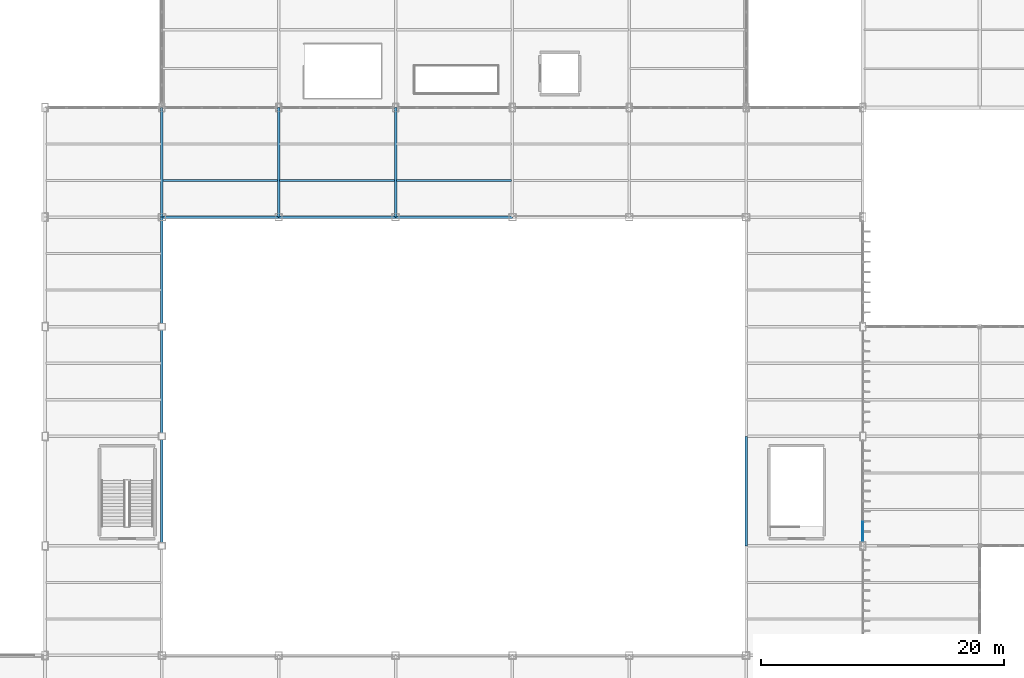
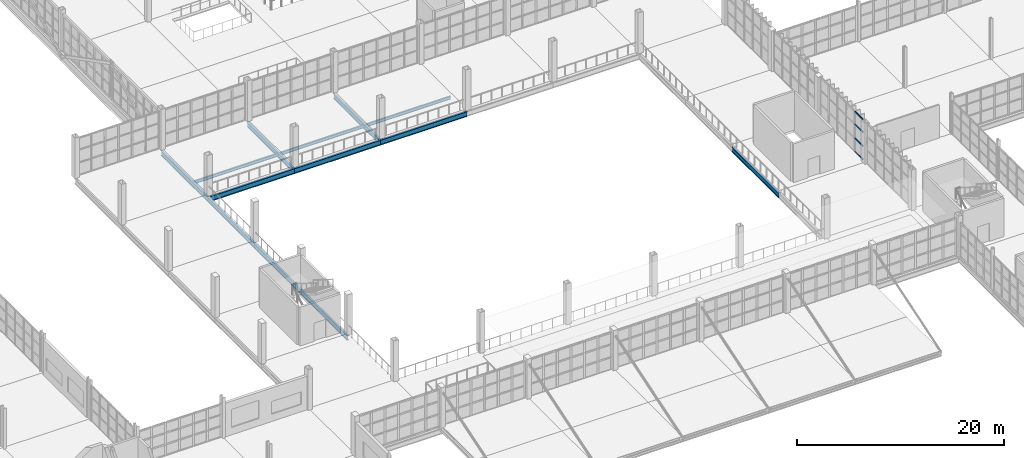
# One storey, part 34 of 120: 13 beams, 4 members, 1 element without a shape of its own.
"""IFC4 building model written with IfcOpenShell, lengths in metres."""

from ifc_helpers import new_model, si_unit, direction, frame, origin, origin_2d, place, context, subcontext, project, spatial, rectangle, i_section, extrude, material, layer, layer_set, material_profile, profile_set, type_object, element, aggregate, save


model = new_model("IFC4")

# Units and contexts
model_context = context("Model", 3, precision=1e-05, world=origin(), true_north=direction((0.0, 1.0)))
body_context = subcontext(model_context, "Body", "Model", "MODEL_VIEW")
ifc_project = project(units=[si_unit("LENGTHUNIT", "METRE"), si_unit("AREAUNIT", "SQUARE_METRE"), si_unit("VOLUMEUNIT", "CUBIC_METRE"), si_unit("PLANEANGLEUNIT", "RADIAN"), si_unit("MASSUNIT", "GRAM", prefix="KILO")], contexts=[model_context])

# Site, building, storey
site_placement = place(None, origin())
site = spatial("IfcSite", under=ifc_project, at=site_placement, CompositionType="ELEMENT")
building_placement = place(site_placement, origin())
building = spatial("IfcBuilding", under=site, at=building_placement, Name="Zarnetskaya Central Station", CompositionType="ELEMENT")
storey_placement = place(building_placement, frame((0.0, 0.0, 5.39990234375)))
storey = spatial("IfcBuildingStorey", under=building, at=storey_placement, Name="L01", CompositionType="ELEMENT", Elevation=5.39990234375)

# Beams
ifc_material_1 = material(Name="Steel S355", Category="steel")
ifc_material_profile_1 = material_profile(ifc_material_1, i_section(OverallWidth=0.169921875, OverallDepth=0.360107421875, WebThickness=0.008056640625, FlangeThickness=0.0126953125, FilletRadius=0.01806640625, at=origin_2d()), Name="IPE 360")
ifc_profile_set_1 = profile_set([ifc_material_profile_1], Name="Steel S355")
beam_type_1 = type_object("IfcBeamType", Name="BM-SEC-360", PredefinedType="BEAM", material=ifc_profile_set_1)
beam_1_placement = place(storey_placement, frame((67.280029296875, 61.199951171875, -0.4599609375), z_axis=(1.0, 0.0, 0.0), x_axis=(0.0, 1.0, 0.0)))
element("IfcBeam", 1, at=beam_1_placement, inside=storey, type_object=beam_type_1, Name="Secondary floor beam SEC-L01-Z512-HJ-89-1", PredefinedType="BEAM", context=body_context, shape_type="SweptSolid", body=[
    extrude(i_section(OverallWidth=0.169921875, OverallDepth=0.360107421875, WebThickness=0.008056640625, FlangeThickness=0.0126953125, FilletRadius=0.01806640625, at=origin_2d()), origin(), (0.0, 0.0, 1.0), 9.43994140625),
])
beam_2_placement = place(storey_placement, frame((76.8798828125, 61.199951171875, -0.4599609375), z_axis=(1.0, 0.0, 0.0), x_axis=(0.0, 1.0, 0.0)))
element("IfcBeam", 2, at=beam_2_placement, inside=storey, type_object=beam_type_1, Name="Secondary floor beam SEC-L01-Z512-JK-89-1", PredefinedType="BEAM", context=body_context, shape_type="SweptSolid", body=[
    extrude(i_section(OverallWidth=0.169921875, OverallDepth=0.360107421875, WebThickness=0.008056640625, FlangeThickness=0.0126953125, FilletRadius=0.01806640625, at=origin_2d()), origin(), (0.0, 0.0, 1.0), 9.440185546875),
])
beam_3_placement = place(storey_placement, frame((86.47998046875, 61.199951171875, -0.4599609375), z_axis=(1.0, 0.0, 0.0), x_axis=(0.0, 1.0, 0.0)))
element("IfcBeam", 3, at=beam_3_placement, inside=storey, type_object=beam_type_1, Name="Secondary floor beam SEC-L01-Z512-KL-89-1", PredefinedType="BEAM", context=body_context, shape_type="SweptSolid", body=[
    extrude(i_section(OverallWidth=0.169921875, OverallDepth=0.360107421875, WebThickness=0.008056640625, FlangeThickness=0.0126953125, FilletRadius=0.01806640625, at=origin_2d()), origin(), (0.0, 0.0, 1.0), 9.43994140625),
])

# Curtain wall, members
ifc_material_2 = material(Name="Low-E insulated glass", Category="glass")
ifc_layer = layer(ifc_material_2, 0.1640625, Name="Low-E insulated glass", Category="glass")
ifc_layer_set = layer_set([ifc_layer], Name="Low-E insulated glass")
curtain_wall_type = type_object("IfcCurtainWallType", Name="CW-SYS-17", PredefinedType="USERDEFINED", material=ifc_layer_set)
curtain_wall_placement = place(storey_placement, origin())
curtain_wall = element("IfcCurtainWall", 4, at=curtain_wall_placement, inside=storey, type_object=curtain_wall_type, Name="Curtain wall CW-L01-092", ObjectType="CURTAIN WALL", PredefinedType="USERDEFINED")
ifc_material_3 = material(Name="Anodised aluminium", Category="aluminium")
ifc_material_profile_2 = material_profile(ifc_material_3, rectangle(XDim=0.080078125, YDim=0.159912109375, at=origin_2d()), Name="ALU TRAN 80x160")
ifc_profile_set_2 = profile_set([ifc_material_profile_2], Name="Anodised aluminium")
member_type = type_object("IfcMemberType", Name="CW-TRAN-160", PredefinedType="USERDEFINED", material=ifc_profile_set_2)
member_1_placement = place(storey_placement, frame((124.800048828125, 33.169921875, 0.0400390625), z_axis=(0.0, -1.0, 0.0), x_axis=(1.0, 0.0, 0.0)))
member_1 = element("IfcMember", 5, at=member_1_placement, type_object=member_type, Name="CW-03 transom 5.1", ObjectType="TRANSOM", PredefinedType="USERDEFINED", context=body_context, shape_type="SweptSolid", body=[
    extrude(rectangle(XDim=0.080078125, YDim=0.159912109375, at=origin_2d()), origin(), (0.0, 0.0, 1.0), 1.5400390625),
])
member_2_placement = place(storey_placement, frame((124.800048828125, 33.169921875, 1.632080078125), z_axis=(0.0, -1.0, 0.0), x_axis=(1.0, 0.0, 0.0)))
member_2 = element("IfcMember", 6, at=member_2_placement, type_object=member_type, Name="CW-03 transom 5.2", ObjectType="TRANSOM", PredefinedType="USERDEFINED", context=body_context, shape_type="SweptSolid", body=[
    extrude(rectangle(XDim=0.080078125, YDim=0.159912109375, at=origin_2d()), origin(), (0.0, 0.0, 1.0), 1.5400390625),
])
member_3_placement = place(storey_placement, frame((124.800048828125, 33.169921875, 3.26416015625), z_axis=(0.0, -1.0, 0.0), x_axis=(1.0, 0.0, 0.0)))
member_3 = element("IfcMember", 7, at=member_3_placement, type_object=member_type, Name="CW-03 transom 5.3", ObjectType="TRANSOM", PredefinedType="USERDEFINED", context=body_context, shape_type="SweptSolid", body=[
    extrude(rectangle(XDim=0.080078125, YDim=0.159912109375, at=origin_2d()), origin(), (0.0, 0.0, 1.0), 1.5400390625),
])
member_4_placement = place(storey_placement, frame((124.800048828125, 33.169921875, 4.760009765625), z_axis=(0.0, -1.0, 0.0), x_axis=(1.0, 0.0, 0.0)))
member_4 = element("IfcMember", 8, at=member_4_placement, type_object=member_type, Name="CW-03 transom 5.4", ObjectType="TRANSOM", PredefinedType="USERDEFINED", context=body_context, shape_type="SweptSolid", body=[
    extrude(rectangle(XDim=0.080078125, YDim=0.159912109375, at=origin_2d()), origin(), (0.0, 0.0, 1.0), 1.5400390625),
])
aggregate(curtain_wall, [member_1, member_2, member_3, member_4])

# Beams
ifc_material_profile_3 = material_profile(ifc_material_1, i_section(OverallWidth=0.2099609375, OverallDepth=0.550048828125, WebThickness=0.010986328125, FlangeThickness=0.01708984375, FilletRadius=0.02392578125, at=origin_2d()), Name="IPE 550")
ifc_profile_set_3 = profile_set([ifc_material_profile_3], Name="Steel S355")
beam_type_2 = type_object("IfcBeamType", Name="GD-FLR-550", PredefinedType="USERDEFINED", material=ifc_profile_set_3)
for number, where, z_axis, x_axis, name in (
    (9, (67.199951171875, 31.199951171875, -0.554931640625), (0.0, 1.0, 0.0), (-1.0, 0.0, 0.0), "Grid girder GY-L01-H-56"),
    (10, (67.199951171875, 40.199951171875, -0.554931640625), (0.0, 1.0, 0.0), (-1.0, 0.0, 0.0), "Grid girder GY-L01-H-67"),
    (11, (67.199951171875, 49.199951171875, -0.554931640625), (0.0, 1.0, 0.0), (-1.0, 0.0, 0.0), "Grid girder GY-L01-H-78"),
    (12, (67.199951171875, 58.199951171875, -0.554931640625), (0.0, 1.0, 0.0), (-1.0, 0.0, 0.0), "Grid girder GY-L01-H-89"),
    (13, (76.800048828125, 58.199951171875, -0.554931640625), (0.0, 1.0, 0.0), (-1.0, 0.0, 0.0), "Grid girder GY-L01-J-89"),
    (14, (86.39990234375, 58.199951171875, -0.554931640625), (0.0, 1.0, 0.0), (-1.0, 0.0, 0.0), "Grid girder GY-L01-K-89"),
    (15, (115.199951171875, 31.199951171875, -0.554931640625), (0.0, 1.0, 0.0), (-1.0, 0.0, 0.0), "Grid girder GY-L01-N-56"),
):
    element("IfcBeam", number, at=place(storey_placement, frame(where, z_axis=z_axis, x_axis=x_axis)), inside=storey, type_object=beam_type_2, Name=name, ObjectType="GIRDER", PredefinedType="USERDEFINED", context=body_context, shape_type="SweptSolid", body=[
        extrude(i_section(OverallWidth=0.2099609375, OverallDepth=0.550048828125, WebThickness=0.010986328125, FlangeThickness=0.01708984375, FilletRadius=0.02392578125, at=origin_2d()), origin(), (0.0, 0.0, 1.0), 9.0),
    ])
ifc_material_profile_4 = material_profile(ifc_material_1, i_section(OverallWidth=0.219970703125, OverallDepth=0.60009765625, WebThickness=0.011962890625, FlangeThickness=0.01904296875, FilletRadius=0.02392578125, at=origin_2d()), Name="IPE 600")
ifc_profile_set_4 = profile_set([ifc_material_profile_4], Name="Steel S355")
beam_type_3 = type_object("IfcBeamType", Name="GD-FLR-600", PredefinedType="USERDEFINED", material=ifc_profile_set_4)
beam_4_placement = place(storey_placement, frame((67.199951171875, 58.199951171875, -0.579833984375), z_axis=(1.0, 0.0, 0.0), x_axis=(0.0, 1.0, 0.0)))
element("IfcBeam", 16, at=beam_4_placement, inside=storey, type_object=beam_type_3, Name="Grid girder GX-L01-8-HJ", ObjectType="GIRDER", PredefinedType="USERDEFINED", context=body_context, shape_type="SweptSolid", body=[
    extrude(i_section(OverallWidth=0.219970703125, OverallDepth=0.60009765625, WebThickness=0.011962890625, FlangeThickness=0.01904296875, FilletRadius=0.02392578125, at=origin_2d()), origin(), (0.0, 0.0, 1.0), 9.60009765625),
])
beam_5_placement = place(storey_placement, frame((76.800048828125, 58.199951171875, -0.579833984375), z_axis=(1.0, 0.0, 0.0), x_axis=(0.0, 1.0, 0.0)))
element("IfcBeam", 17, at=beam_5_placement, inside=storey, type_object=beam_type_3, Name="Grid girder GX-L01-8-JK", ObjectType="GIRDER", PredefinedType="USERDEFINED", context=body_context, shape_type="SweptSolid", body=[
    extrude(i_section(OverallWidth=0.219970703125, OverallDepth=0.60009765625, WebThickness=0.011962890625, FlangeThickness=0.01904296875, FilletRadius=0.02392578125, at=origin_2d()), origin(), (0.0, 0.0, 1.0), 9.599853515625),
])
beam_6_placement = place(storey_placement, frame((86.39990234375, 58.199951171875, -0.579833984375), z_axis=(1.0, 0.0, 0.0), x_axis=(0.0, 1.0, 0.0)))
element("IfcBeam", 18, at=beam_6_placement, inside=storey, type_object=beam_type_3, Name="Grid girder GX-L01-8-KL", ObjectType="GIRDER", PredefinedType="USERDEFINED", context=body_context, shape_type="SweptSolid", body=[
    extrude(i_section(OverallWidth=0.219970703125, OverallDepth=0.60009765625, WebThickness=0.011962890625, FlangeThickness=0.01904296875, FilletRadius=0.02392578125, at=origin_2d()), origin(), (0.0, 0.0, 1.0), 9.60009765625),
])

save(model, "model.ifc")
